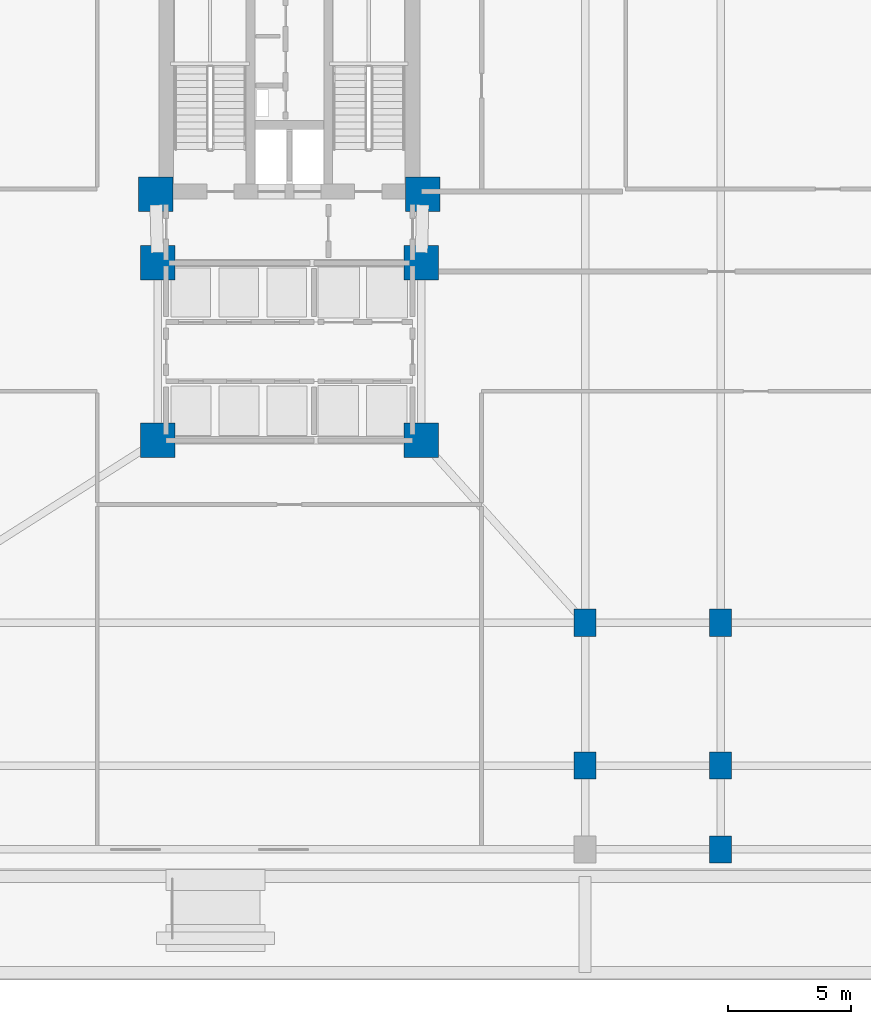
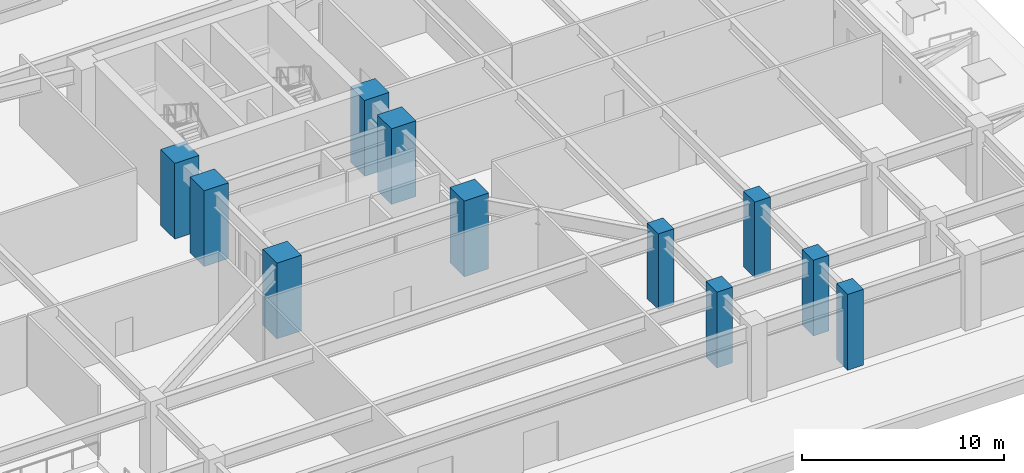
# One storey, part 3 of 23: 11 columns.
"""IFC4 building model written with IfcOpenShell, lengths in metres."""

from ifc_helpers import new_model, si_unit, direction, frame, origin, origin_2d, place, context, subcontext, project, spatial, rectangle, extrude, material, material_profile, profile_set, type_object, element, save


model = new_model("IFC4")

# Units and contexts
model_context = context("Model", 3, precision=1e-05, world=origin(), true_north=direction((0.0, 1.0)))
body_context = subcontext(model_context, "Body", "Model", "MODEL_VIEW")
ifc_project = project(units=[si_unit("LENGTHUNIT", "METRE"), si_unit("AREAUNIT", "SQUARE_METRE"), si_unit("VOLUMEUNIT", "CUBIC_METRE"), si_unit("PLANEANGLEUNIT", "RADIAN"), si_unit("MASSUNIT", "GRAM", prefix="KILO")], contexts=[model_context])

# Site, building, storey
site_placement = place(None, origin())
site = spatial("IfcSite", under=ifc_project, at=site_placement, CompositionType="ELEMENT")
building_placement = place(site_placement, origin())
building = spatial("IfcBuilding", under=site, at=building_placement, Name="Varnakorn Sky Granary", CompositionType="ELEMENT")
storey_placement = place(building_placement, origin())
storey = spatial("IfcBuildingStorey", under=building, at=storey_placement, Name="L00", CompositionType="ELEMENT", Elevation=0.0)

# Columns
ifc_material = material(Name="Concrete C60/75", Category="concrete")
ifc_material_profile_1 = material_profile(ifc_material, rectangle(XDim=1.39990234375, YDim=1.39990234375, at=origin_2d()), Name="RC 1400x1400")
ifc_profile_set_1 = profile_set([ifc_material_profile_1], Name="Concrete C60/75")
column_type_1 = type_object("IfcColumnType", Name="COL-MC-Z0", PredefinedType="COLUMN", material=ifc_profile_set_1)
for number, where, z_axis, x_axis, name in (
    (1, (-2.419921875, 3.3798828125, 0.0), (0.0, 0.0, 1.0), (1.0, 0.0, 0.0), "Backbone Mega-Column MC3 L00"),
    (2, (8.419921875, 3.3798828125, 0.0), (0.0, 0.0, 1.0), (1.0, 0.0, 0.0), "Backbone Mega-Column MC4 L00"),
    (3, (-2.35009765625, 0.60009765625, 0.0), (0.0, 0.0, 1.0), (1.0, 0.0, 0.0), "Backbone Mega-Column MC5 L00"),
    (4, (8.35009765625, 0.60009765625, 0.0), (0.0, 0.0, 1.0), (1.0, 0.0, 0.0), "Backbone Mega-Column MC6 L00"),
    (5, (-2.35009765625, -6.60009765625, 0.0), (0.0, 0.0, 1.0), (1.0, 0.0, 0.0), "Backbone Mega-Column MC7 L00"),
    (6, (8.35009765625, -6.60009765625, 0.0), (0.0, 0.0, 1.0), (1.0, 0.0, 0.0), "Backbone Mega-Column MC8 L00"),
):
    element("IfcColumn", number, at=place(storey_placement, frame(where, z_axis=z_axis, x_axis=x_axis)), inside=storey, type_object=column_type_1, Name=name, PredefinedType="COLUMN", context=body_context, shape_type="SweptSolid", body=[
        extrude(rectangle(XDim=1.39990234375, YDim=1.39990234375, at=origin_2d()), origin(), (0.0, 0.0, 1.0), 4.574951171875),
    ])
ifc_material_profile_2 = material_profile(ifc_material, rectangle(XDim=0.89990234375, YDim=1.10009765625, at=origin_2d()), Name="RC 900x1100")
ifc_profile_set_2 = profile_set([ifc_material_profile_2], Name="Concrete C60/75")
column_type_2 = type_object("IfcColumnType", Name="COL-POD-1100", PredefinedType="COLUMN", material=ifc_profile_set_2)
for number, where, z_axis, x_axis, name in (
    (7, (15.0, -19.800048828125, 0.0), (0.0, 0.0, 1.0), (1.0, 0.0, 0.0), "Podium Column P52 L00"),
    (8, (15.0, -14.0, 0.0), (0.0, 0.0, 1.0), (1.0, 0.0, 0.0), "Podium Column P53 L00"),
    (9, (20.5, -23.199951171875, 0.0), (0.0, 0.0, 1.0), (1.0, 0.0, 0.0), "Podium Column P61 L00"),
    (10, (20.5, -19.800048828125, 0.0), (0.0, 0.0, 1.0), (1.0, 0.0, 0.0), "Podium Column P62 L00"),
    (11, (20.5, -14.0, 0.0), (0.0, 0.0, 1.0), (1.0, 0.0, 0.0), "Podium Column P63 L00"),
):
    element("IfcColumn", number, at=place(storey_placement, frame(where, z_axis=z_axis, x_axis=x_axis)), inside=storey, type_object=column_type_2, Name=name, PredefinedType="COLUMN", context=body_context, shape_type="SweptSolid", body=[
        extrude(rectangle(XDim=0.89990234375, YDim=1.10009765625, at=origin_2d()), origin(), (0.0, 0.0, 1.0), 4.574951171875),
    ])

save(model, "model.ifc")
